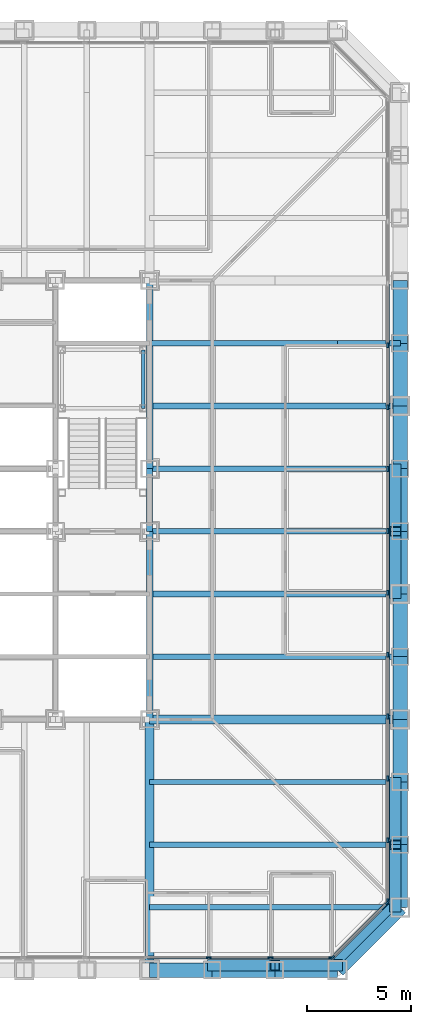
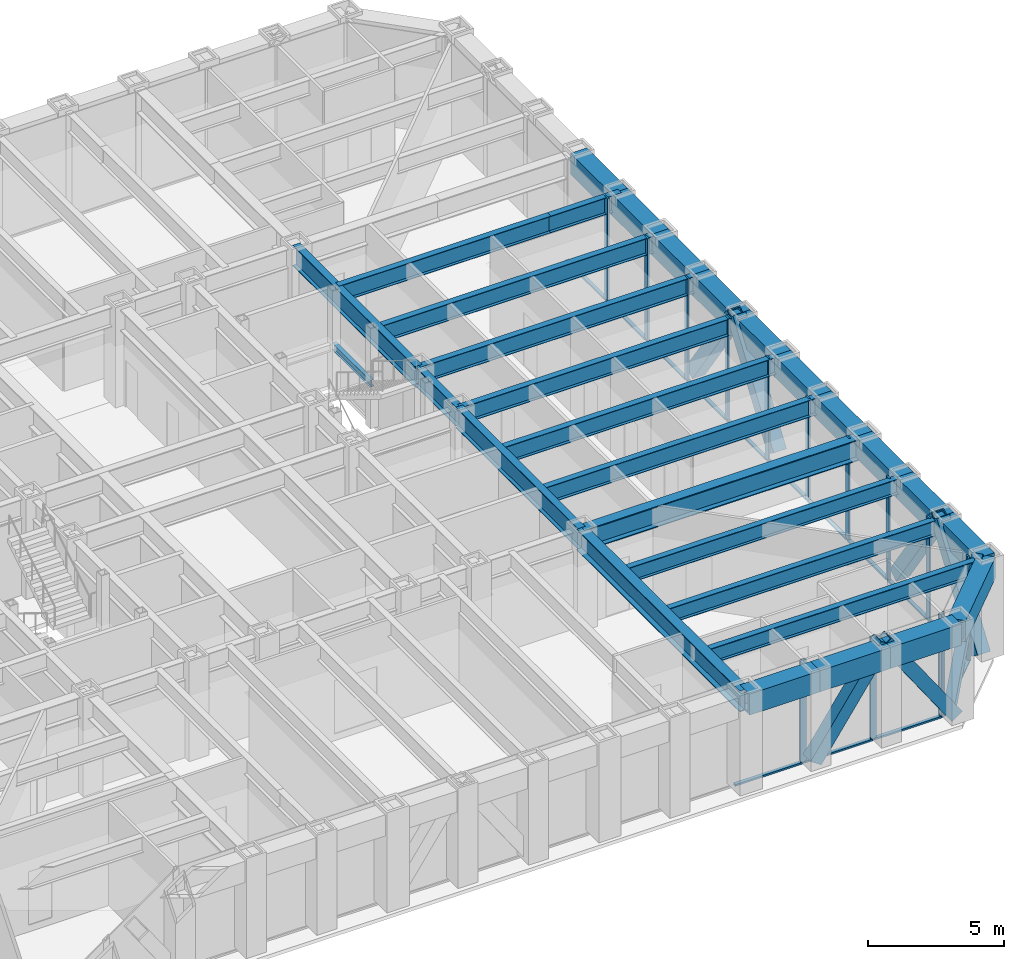
# One storey, part 4 of 17: 36 members, 30 beams, 3 elements without a shape of their own.
"""IFC4 building model written with IfcOpenShell, lengths in metres."""

from ifc_helpers import new_model, si_unit, direction, frame, origin, origin_2d, place, context, subcontext, project, spatial, rectangle, hollow_rectangle, i_section, extrude, material, layer, layer_set, material_profile, profile_set, type_object, element, aggregate, save


model = new_model("IFC4")

# Units and contexts
model_context = context("Model", 3, precision=1e-05, world=origin(), true_north=direction((0.0, 1.0)))
body_context = subcontext(model_context, "Body", "Model", "MODEL_VIEW")
ifc_project = project(units=[si_unit("LENGTHUNIT", "METRE"), si_unit("AREAUNIT", "SQUARE_METRE"), si_unit("VOLUMEUNIT", "CUBIC_METRE"), si_unit("PLANEANGLEUNIT", "RADIAN"), si_unit("MASSUNIT", "GRAM", prefix="KILO")], contexts=[model_context])

# Site, building, storey
site_placement = place(None, origin())
site = spatial("IfcSite", under=ifc_project, at=site_placement, CompositionType="ELEMENT")
building_placement = place(site_placement, origin())
building = spatial("IfcBuilding", under=site, at=building_placement, Name="Chuquiago Exchange Tower", CompositionType="ELEMENT")
storey_placement = place(building_placement, frame((0.0, 0.0, 91.800048828125)))
storey = spatial("IfcBuildingStorey", under=building, at=storey_placement, Name="L19", CompositionType="ELEMENT", Elevation=91.800048828125)

# Beams
ifc_material_1 = material(Name="Steel ASTM A992", Category="steel")
ifc_material_profile_1 = material_profile(ifc_material_1, i_section(OverallWidth=0.307373046875, OverallDepth=0.927001953125, WebThickness=0.01953125, FlangeThickness=0.031982421875, at=origin_2d()), Name="W36X194")
ifc_profile_set_1 = profile_set([ifc_material_profile_1], Name="Steel ASTM A992")
beam_type_1 = type_object("IfcBeamType", Name="B10 W36X194", PredefinedType="BEAM", material=ifc_profile_set_1)
for number, where, z_axis, x_axis, name in (
    (1, (33.0, 12.0, 3.87646484375), (0.0, 1.0, 0.0), (-1.0, 0.0, 0.0), "CB-L20-33_12-33_21"),
    (2, (33.0, 24.0, 3.87646484375), (0.0, 1.0, 0.0), (-1.0, 0.0, 0.0), "CB-L20-33_24-33_33"),
):
    element("IfcBeam", number, at=place(storey_placement, frame(where, z_axis=z_axis, x_axis=x_axis)), inside=storey, type_object=beam_type_1, Name=name, PredefinedType="BEAM", context=body_context, shape_type="SweptSolid", body=[
        extrude(i_section(OverallWidth=0.307373046875, OverallDepth=0.927001953125, WebThickness=0.01953125, FlangeThickness=0.031982421875, at=origin_2d()), origin(), (0.0, 0.0, 1.0), 9.0),
    ])
ifc_material_2 = material(Name="Steel ASTM A992", Category="steel")
ifc_material_profile_2 = material_profile(ifc_material_2, i_section(OverallWidth=0.2919921875, OverallDepth=0.8583984375, WebThickness=0.01708984375, FlangeThickness=0.031005859375, at=origin_2d()), Name="W33X169")
ifc_profile_set_2 = profile_set([ifc_material_profile_2], Name="Steel ASTM A992")
beam_type_2 = type_object("IfcBeamType", Name="B3 W33X169", PredefinedType="BEAM", material=ifc_profile_set_2)
beam_1_placement = place(storey_placement, frame((33.0, 21.0, 3.91064453125), z_axis=(0.0, 1.0, 0.0), x_axis=(-1.0, 0.0, 0.0)))
element("IfcBeam", 3, at=beam_1_placement, inside=storey, type_object=beam_type_2, Name="CB-L20-33_21-33_24", PredefinedType="BEAM", context=body_context, shape_type="SweptSolid", body=[
    extrude(i_section(OverallWidth=0.2919921875, OverallDepth=0.8583984375, WebThickness=0.01708984375, FlangeThickness=0.031005859375, at=origin_2d()), origin(), (0.0, 0.0, 1.0), 3.0),
])
ifc_material_3 = material(Name="Steel ASTM A992", Category="steel")
ifc_material_profile_3 = material_profile(ifc_material_3, i_section(OverallWidth=0.2666015625, OverallDepth=0.761962890625, WebThickness=0.014404296875, FlangeThickness=0.021484375, at=origin_2d()), Name="W30X116")
ifc_profile_set_3 = profile_set([ifc_material_profile_3], Name="Steel ASTM A992")
beam_type_3 = type_object("IfcBeamType", Name="B8 W30X116", PredefinedType="BEAM", material=ifc_profile_set_3)
for number, where, z_axis, x_axis, name in (
    (4, (33.0, 15.0, 3.958984375), (1.0, 0.0, 0.0), (0.0, 1.0, 0.0), "FB-L20-infill-33_15-45_15-0"),
    (5, (33.0, 18.0, 3.958984375), (1.0, 0.0, 0.0), (0.0, 1.0, 0.0), "FB-L20-infill-33_18-45_18-0"),
    (6, (33.0, 21.0, 3.958984375), (1.0, 0.0, 0.0), (0.0, 1.0, 0.0), "FB-L20-infill-33_21-45_21-0"),
    (7, (33.0, 24.0, 3.958984375), (1.0, 0.0, 0.0), (0.0, 1.0, 0.0), "FB-L20-infill-33_24-45_24-0"),
    (8, (33.0, 27.0, 3.958984375), (1.0, 0.0, 0.0), (0.0, 1.0, 0.0), "FB-L20-infill-33_27-45_27-0"),
):
    element("IfcBeam", number, at=place(storey_placement, frame(where, z_axis=z_axis, x_axis=x_axis)), inside=storey, type_object=beam_type_3, Name=name, PredefinedType="BEAM", context=body_context, shape_type="SweptSolid", body=[
        extrude(i_section(OverallWidth=0.2666015625, OverallDepth=0.761962890625, WebThickness=0.014404296875, FlangeThickness=0.021484375, at=origin_2d()), origin(), (0.0, 0.0, 1.0), 12.0),
    ])
beam_2_placement = place(storey_placement, frame((33.0, 30.0, 3.958984375), z_axis=(1.0, 0.0, 0.0), x_axis=(0.0, 1.0, 0.0)))
element("IfcBeam", 9, at=beam_2_placement, inside=storey, type_object=beam_type_3, Name="FB-L20-infill-33_30-45_30-0", PredefinedType="BEAM", context=body_context, shape_type="SweptSolid", body=[
    extrude(i_section(OverallWidth=0.2666015625, OverallDepth=0.761962890625, WebThickness=0.014404296875, FlangeThickness=0.021484375, at=origin_2d()), origin(), (0.0, 0.0, 1.0), 9.0),
])
beam_3_placement = place(storey_placement, frame((42.0, 30.0, 3.958984375), z_axis=(1.0, 0.0, 0.0), x_axis=(0.0, 1.0, 0.0)))
element("IfcBeam", 10, at=beam_3_placement, inside=storey, type_object=beam_type_3, Name="FB-L20-infill-33_30-45_30-1", PredefinedType="BEAM", context=body_context, shape_type="SweptSolid", body=[
    extrude(i_section(OverallWidth=0.2666015625, OverallDepth=0.761962890625, WebThickness=0.014404296875, FlangeThickness=0.021484375, at=origin_2d()), origin(), (0.0, 0.0, 1.0), 3.0),
])
ifc_material_4 = material(Name="Steel ASTM A992", Category="steel")
ifc_material_profile_4 = material_profile(ifc_material_4, i_section(OverallWidth=0.256591796875, OverallDepth=0.693359375, WebThickness=0.014404296875, FlangeThickness=0.023681640625, at=origin_2d()), Name="W27X114")
ifc_profile_set_4 = profile_set([ifc_material_profile_4], Name="Steel ASTM A992")
beam_type_4 = type_object("IfcBeamType", Name="B9 W27X114", PredefinedType="BEAM", material=ifc_profile_set_4)
for number, where, z_axis, x_axis, name in (
    (11, (33.0, 3.0, 3.9931640625), (1.0, 0.0, 0.0), (0.0, 1.0, 0.0), "FB-L20-corner-33_3-45_3-0"),
    (12, (33.0, 6.0, 3.9931640625), (1.0, 0.0, 0.0), (0.0, 1.0, 0.0), "FB-L20-corner-33_6-45_6-0"),
    (13, (33.0, 9.0, 3.9931640625), (1.0, 0.0, 0.0), (0.0, 1.0, 0.0), "FB-L20-corner-33_9-45_9-0"),
):
    element("IfcBeam", number, at=place(storey_placement, frame(where, z_axis=z_axis, x_axis=x_axis)), inside=storey, type_object=beam_type_4, Name=name, PredefinedType="BEAM", context=body_context, shape_type="SweptSolid", body=[
        extrude(i_section(OverallWidth=0.256591796875, OverallDepth=0.693359375, WebThickness=0.014404296875, FlangeThickness=0.023681640625, at=origin_2d()), origin(), (0.0, 0.0, 1.0), 12.0),
    ])

# Curtain wall, members
ifc_material_5 = material(Name="Aluminium curtain wall system", Category="aluminium")
ifc_layer_1 = layer(ifc_material_5, 0.25)
ifc_layer_set_1 = layer_set([ifc_layer_1], Name="CW1 trading floor curtain wall")
curtain_wall_type_1 = type_object("IfcCurtainWallType", Name="CW1 trading floor curtain wall", PredefinedType="NOTDEFINED", material=ifc_layer_set_1)
curtain_wall_1_placement = place(storey_placement, origin())
curtain_wall_1 = element("IfcCurtainWall", 14, at=curtain_wall_1_placement, inside=storey, type_object=curtain_wall_type_1, Name="CW1 curtain wall L19", PredefinedType="NOTDEFINED")
ifc_material_6 = material(Name="Aluminium mullion, pale anodised", Category="aluminium")
ifc_material_profile_5 = material_profile(ifc_material_6, rectangle(XDim=0.074951171875, YDim=0.25, at=origin_2d()), Name="AL 75x250")
ifc_profile_set_5 = profile_set([ifc_material_profile_5], Name="Aluminium mullion, pale anodised")
member_type_1 = type_object("IfcMemberType", Name="CW1-M mullion 75x250", PredefinedType="MULLION", material=ifc_profile_set_5)
member_1_placement = place(storey_placement, frame((35.827880859375, 0.60009765625, -0.300048828125), z_axis=(0.0, 0.0, 1.0), x_axis=(0.0, 1.0, 0.0)))
member_1 = element("IfcMember", 15, at=member_1_placement, type_object=member_type_1, Name="CW1 mullion 12", PredefinedType="MULLION", context=body_context, shape_type="SweptSolid", body=[
    extrude(rectangle(XDim=0.074951171875, YDim=0.25, at=origin_2d()), origin(), (0.0, 0.0, 1.0), 4.639892578125),
])
member_2_placement = place(storey_placement, frame((38.789794921875, 0.60009765625, -0.300048828125), z_axis=(0.0, 0.0, 1.0), x_axis=(0.0, 1.0, 0.0)))
member_2 = element("IfcMember", 16, at=member_2_placement, type_object=member_type_1, Name="CW1 mullion 13", PredefinedType="MULLION", context=body_context, shape_type="SweptSolid", body=[
    extrude(rectangle(XDim=0.074951171875, YDim=0.25, at=origin_2d()), origin(), (0.0, 0.0, 1.0), 4.639892578125),
])
member_3_placement = place(storey_placement, frame((41.714111328125, 0.60009765625, -0.300048828125), z_axis=(0.0, 0.0, 1.0), x_axis=(0.0, 1.0, 0.0)))
member_3 = element("IfcMember", 17, at=member_3_placement, type_object=member_type_1, Name="CW1 mullion 14", PredefinedType="MULLION", context=body_context, shape_type="SweptSolid", body=[
    extrude(rectangle(XDim=0.074951171875, YDim=0.25, at=origin_2d()), origin(), (0.0, 0.0, 1.0), 4.639892578125),
])

curtain_wall_2_placement = place(storey_placement, origin())
curtain_wall_2 = element("IfcCurtainWall", 18, at=curtain_wall_2_placement, inside=storey, type_object=curtain_wall_type_1, Name="CW1 curtain wall L19", PredefinedType="NOTDEFINED")
member_4_placement = place(storey_placement, frame((44.39990234375, 3.285888671875, -0.300048828125), z_axis=(0.0, 0.0, 1.0), x_axis=(-1.0, 0.0, 0.0)))
member_4 = element("IfcMember", 19, at=member_4_placement, type_object=member_type_1, Name="CW1 mullion 1", PredefinedType="MULLION", context=body_context, shape_type="SweptSolid", body=[
    extrude(rectangle(XDim=0.074951171875, YDim=0.25, at=origin_2d()), origin(), (0.0, 0.0, 1.0), 4.639892578125),
])
member_5_placement = place(storey_placement, frame((44.39990234375, 6.210205078125, -0.300048828125), z_axis=(0.0, 0.0, 1.0), x_axis=(-1.0, 0.0, 0.0)))
member_5 = element("IfcMember", 20, at=member_5_placement, type_object=member_type_1, Name="CW1 mullion 2", PredefinedType="MULLION", context=body_context, shape_type="SweptSolid", body=[
    extrude(rectangle(XDim=0.074951171875, YDim=0.25, at=origin_2d()), origin(), (0.0, 0.0, 1.0), 4.639892578125),
])
member_6_placement = place(storey_placement, frame((44.39990234375, 9.172119140625, -0.300048828125), z_axis=(0.0, 0.0, 1.0), x_axis=(-1.0, 0.0, 0.0)))
member_6 = element("IfcMember", 21, at=member_6_placement, type_object=member_type_1, Name="CW1 mullion 3", PredefinedType="MULLION", context=body_context, shape_type="SweptSolid", body=[
    extrude(rectangle(XDim=0.074951171875, YDim=0.25, at=origin_2d()), origin(), (0.0, 0.0, 1.0), 4.639892578125),
])
member_7_placement = place(storey_placement, frame((44.39990234375, 12.1337890625, -0.300048828125), z_axis=(0.0, 0.0, 1.0), x_axis=(-1.0, 0.0, 0.0)))
member_7 = element("IfcMember", 22, at=member_7_placement, type_object=member_type_1, Name="CW1 mullion 4", PredefinedType="MULLION", context=body_context, shape_type="SweptSolid", body=[
    extrude(rectangle(XDim=0.074951171875, YDim=0.25, at=origin_2d()), origin(), (0.0, 0.0, 1.0), 4.639892578125),
])
member_8_placement = place(storey_placement, frame((44.39990234375, 15.095458984375, -0.300048828125), z_axis=(0.0, 0.0, 1.0), x_axis=(-1.0, 0.0, 0.0)))
member_8 = element("IfcMember", 23, at=member_8_placement, type_object=member_type_1, Name="CW1 mullion 5", PredefinedType="MULLION", context=body_context, shape_type="SweptSolid", body=[
    extrude(rectangle(XDim=0.074951171875, YDim=0.25, at=origin_2d()), origin(), (0.0, 0.0, 1.0), 4.639892578125),
])
member_9_placement = place(storey_placement, frame((44.39990234375, 18.057373046875, -0.300048828125), z_axis=(0.0, 0.0, 1.0), x_axis=(-1.0, 0.0, 0.0)))
member_9 = element("IfcMember", 24, at=member_9_placement, type_object=member_type_1, Name="CW1 mullion 6", PredefinedType="MULLION", context=body_context, shape_type="SweptSolid", body=[
    extrude(rectangle(XDim=0.074951171875, YDim=0.25, at=origin_2d()), origin(), (0.0, 0.0, 1.0), 4.639892578125),
])
member_10_placement = place(storey_placement, frame((44.39990234375, 21.01904296875, -0.300048828125), z_axis=(0.0, 0.0, 1.0), x_axis=(-1.0, 0.0, 0.0)))
member_10 = element("IfcMember", 25, at=member_10_placement, type_object=member_type_1, Name="CW1 mullion 7", PredefinedType="MULLION", context=body_context, shape_type="SweptSolid", body=[
    extrude(rectangle(XDim=0.074951171875, YDim=0.25, at=origin_2d()), origin(), (0.0, 0.0, 1.0), 4.639892578125),
])
member_11_placement = place(storey_placement, frame((44.39990234375, 23.98095703125, -0.300048828125), z_axis=(0.0, 0.0, 1.0), x_axis=(-1.0, 0.0, 0.0)))
member_11 = element("IfcMember", 26, at=member_11_placement, type_object=member_type_1, Name="CW1 mullion 8", PredefinedType="MULLION", context=body_context, shape_type="SweptSolid", body=[
    extrude(rectangle(XDim=0.074951171875, YDim=0.25, at=origin_2d()), origin(), (0.0, 0.0, 1.0), 4.639892578125),
])
member_12_placement = place(storey_placement, frame((44.39990234375, 26.942626953125, -0.300048828125), z_axis=(0.0, 0.0, 1.0), x_axis=(-1.0, 0.0, 0.0)))
member_12 = element("IfcMember", 27, at=member_12_placement, type_object=member_type_1, Name="CW1 mullion 9", PredefinedType="MULLION", context=body_context, shape_type="SweptSolid", body=[
    extrude(rectangle(XDim=0.074951171875, YDim=0.25, at=origin_2d()), origin(), (0.0, 0.0, 1.0), 4.639892578125),
])
member_13_placement = place(storey_placement, frame((44.39990234375, 29.904541015625, -0.300048828125), z_axis=(0.0, 0.0, 1.0), x_axis=(-1.0, 0.0, 0.0)))
member_13 = element("IfcMember", 28, at=member_13_placement, type_object=member_type_1, Name="CW1 mullion 10", PredefinedType="MULLION", context=body_context, shape_type="SweptSolid", body=[
    extrude(rectangle(XDim=0.074951171875, YDim=0.25, at=origin_2d()), origin(), (0.0, 0.0, 1.0), 4.639892578125),
])

# Member
ifc_material_7 = material(Name="Aluminium transom, pale anodised", Category="aluminium")
ifc_material_profile_6 = material_profile(ifc_material_7, rectangle(XDim=0.14990234375, YDim=0.074951171875, at=origin_2d()), Name="AL 150x75")
ifc_profile_set_6 = profile_set([ifc_material_profile_6], Name="Aluminium transom, pale anodised")
member_type_2 = type_object("IfcMemberType", Name="CW1-T transom 75x150", PredefinedType="MULLION", material=ifc_profile_set_6)
member_14_placement = place(storey_placement, frame((32.90380859375, 0.60009765625, -0.262451171875), z_axis=(1.0, 0.0, 0.0), x_axis=(0.0, 1.0, 0.0)))
member_14 = element("IfcMember", 29, at=member_14_placement, type_object=member_type_2, Name="CW1 transom 11.1", PredefinedType="MULLION", context=body_context, shape_type="SweptSolid", body=[
    extrude(rectangle(XDim=0.14990234375, YDim=0.074951171875, at=origin_2d()), origin(), (0.0, 0.0, 1.0), 2.88671875),
])

member_15_placement = place(storey_placement, frame((35.865478515625, 0.60009765625, -0.262451171875), z_axis=(1.0, 0.0, 0.0), x_axis=(0.0, 1.0, 0.0)))
member_15 = element("IfcMember", 30, at=member_15_placement, type_object=member_type_2, Name="CW1 transom 12.1", PredefinedType="MULLION", context=body_context, shape_type="SweptSolid", body=[
    extrude(rectangle(XDim=0.14990234375, YDim=0.074951171875, at=origin_2d()), origin(), (0.0, 0.0, 1.0), 2.88671875),
])

member_16_placement = place(storey_placement, frame((38.8271484375, 0.60009765625, -0.262451171875), z_axis=(1.0, 0.0, 0.0), x_axis=(0.0, 1.0, 0.0)))
member_16 = element("IfcMember", 31, at=member_16_placement, type_object=member_type_2, Name="CW1 transom 13.1", PredefinedType="MULLION", context=body_context, shape_type="SweptSolid", body=[
    extrude(rectangle(XDim=0.14990234375, YDim=0.074951171875, at=origin_2d()), origin(), (0.0, 0.0, 1.0), 2.849365234375),
])

aggregate(curtain_wall_1, [member_1, member_2, member_3, member_14, member_15, member_16])

member_17_placement = place(storey_placement, frame((44.39990234375, 3.323486328125, -0.262451171875), z_axis=(0.0, 1.0, 0.0), x_axis=(-1.0, 0.0, 0.0)))
member_17 = element("IfcMember", 32, at=member_17_placement, type_object=member_type_2, Name="CW1 transom 1.1", PredefinedType="MULLION", context=body_context, shape_type="SweptSolid", body=[
    extrude(rectangle(XDim=0.14990234375, YDim=0.074951171875, at=origin_2d()), origin(), (0.0, 0.0, 1.0), 2.849365234375),
])

member_18_placement = place(storey_placement, frame((44.39990234375, 6.247802734375, -0.262451171875), z_axis=(0.0, 1.0, 0.0), x_axis=(-1.0, 0.0, 0.0)))
member_18 = element("IfcMember", 33, at=member_18_placement, type_object=member_type_2, Name="CW1 transom 2.1", PredefinedType="MULLION", context=body_context, shape_type="SweptSolid", body=[
    extrude(rectangle(XDim=0.14990234375, YDim=0.074951171875, at=origin_2d()), origin(), (0.0, 0.0, 1.0), 2.88671875),
])

member_19_placement = place(storey_placement, frame((44.39990234375, 9.20947265625, -0.262451171875), z_axis=(0.0, 1.0, 0.0), x_axis=(-1.0, 0.0, 0.0)))
member_19 = element("IfcMember", 34, at=member_19_placement, type_object=member_type_2, Name="CW1 transom 3.1", PredefinedType="MULLION", context=body_context, shape_type="SweptSolid", body=[
    extrude(rectangle(XDim=0.14990234375, YDim=0.074951171875, at=origin_2d()), origin(), (0.0, 0.0, 1.0), 2.88671875),
])

member_20_placement = place(storey_placement, frame((44.39990234375, 12.17138671875, -0.262451171875), z_axis=(0.0, 1.0, 0.0), x_axis=(-1.0, 0.0, 0.0)))
member_20 = element("IfcMember", 35, at=member_20_placement, type_object=member_type_2, Name="CW1 transom 4.1", PredefinedType="MULLION", context=body_context, shape_type="SweptSolid", body=[
    extrude(rectangle(XDim=0.14990234375, YDim=0.074951171875, at=origin_2d()), origin(), (0.0, 0.0, 1.0), 2.88671875),
])

member_21_placement = place(storey_placement, frame((44.39990234375, 15.133056640625, -0.262451171875), z_axis=(0.0, 1.0, 0.0), x_axis=(-1.0, 0.0, 0.0)))
member_21 = element("IfcMember", 36, at=member_21_placement, type_object=member_type_2, Name="CW1 transom 5.1", PredefinedType="MULLION", context=body_context, shape_type="SweptSolid", body=[
    extrude(rectangle(XDim=0.14990234375, YDim=0.074951171875, at=origin_2d()), origin(), (0.0, 0.0, 1.0), 2.88671875),
])

member_22_placement = place(storey_placement, frame((44.39990234375, 18.0947265625, -0.262451171875), z_axis=(0.0, 1.0, 0.0), x_axis=(-1.0, 0.0, 0.0)))
member_22 = element("IfcMember", 37, at=member_22_placement, type_object=member_type_2, Name="CW1 transom 6.1", PredefinedType="MULLION", context=body_context, shape_type="SweptSolid", body=[
    extrude(rectangle(XDim=0.14990234375, YDim=0.074951171875, at=origin_2d()), origin(), (0.0, 0.0, 1.0), 2.886962890625),
])

member_23_placement = place(storey_placement, frame((44.39990234375, 21.056640625, -0.262451171875), z_axis=(0.0, 1.0, 0.0), x_axis=(-1.0, 0.0, 0.0)))
member_23 = element("IfcMember", 38, at=member_23_placement, type_object=member_type_2, Name="CW1 transom 7.1", PredefinedType="MULLION", context=body_context, shape_type="SweptSolid", body=[
    extrude(rectangle(XDim=0.14990234375, YDim=0.074951171875, at=origin_2d()), origin(), (0.0, 0.0, 1.0), 2.88671875),
])

member_24_placement = place(storey_placement, frame((44.39990234375, 24.018310546875, -0.262451171875), z_axis=(0.0, 1.0, 0.0), x_axis=(-1.0, 0.0, 0.0)))
member_24 = element("IfcMember", 39, at=member_24_placement, type_object=member_type_2, Name="CW1 transom 8.1", PredefinedType="MULLION", context=body_context, shape_type="SweptSolid", body=[
    extrude(rectangle(XDim=0.14990234375, YDim=0.074951171875, at=origin_2d()), origin(), (0.0, 0.0, 1.0), 2.886962890625),
])

member_25_placement = place(storey_placement, frame((44.39990234375, 26.980224609375, -0.262451171875), z_axis=(0.0, 1.0, 0.0), x_axis=(-1.0, 0.0, 0.0)))
member_25 = element("IfcMember", 40, at=member_25_placement, type_object=member_type_2, Name="CW1 transom 9.1", PredefinedType="MULLION", context=body_context, shape_type="SweptSolid", body=[
    extrude(rectangle(XDim=0.14990234375, YDim=0.074951171875, at=origin_2d()), origin(), (0.0, 0.0, 1.0), 2.88671875),
])

member_26_placement = place(storey_placement, frame((44.39990234375, 29.94189453125, -0.262451171875), z_axis=(0.0, 1.0, 0.0), x_axis=(-1.0, 0.0, 0.0)))
member_26 = element("IfcMember", 41, at=member_26_placement, type_object=member_type_2, Name="CW1 transom 10.1", PredefinedType="MULLION", context=body_context, shape_type="SweptSolid", body=[
    extrude(rectangle(XDim=0.14990234375, YDim=0.074951171875, at=origin_2d()), origin(), (0.0, 0.0, 1.0), 2.88671875),
])

aggregate(curtain_wall_2, [member_4, member_5, member_6, member_7, member_8, member_9, member_10, member_11, member_12, member_13, member_17, member_18, member_19, member_20, member_21, member_22, member_23, member_24, member_25, member_26])

# Curtain wall, members
ifc_material_8 = material(Name="Aluminium curtain wall system", Category="aluminium")
ifc_layer_2 = layer(ifc_material_8, 0.199951171875)
ifc_layer_set_2 = layer_set([ifc_layer_2], Name="CW3 facet curtain wall")
curtain_wall_type_2 = type_object("IfcCurtainWallType", Name="CW3 facet curtain wall", PredefinedType="NOTDEFINED", material=ifc_layer_set_2)
curtain_wall_3_placement = place(storey_placement, origin())
curtain_wall_3 = element("IfcCurtainWall", 42, at=curtain_wall_3_placement, inside=storey, type_object=curtain_wall_type_2, Name="CW3 curtain wall L19", PredefinedType="NOTDEFINED")
ifc_material_9 = material(Name="Aluminium mullion, pale anodised", Category="aluminium")
ifc_material_profile_7 = material_profile(ifc_material_9, rectangle(XDim=0.06494140625, YDim=0.199951171875, at=origin_2d()), Name="AL 65x200")
ifc_profile_set_7 = profile_set([ifc_material_profile_7], Name="Aluminium mullion, pale anodised")
member_type_3 = type_object("IfcMemberType", Name="CW3-M mullion 65x200", PredefinedType="MULLION", material=ifc_profile_set_7)
member_27_placement = place(storey_placement, frame((41.7744140625, 0.623046875, -0.300048828125), z_axis=(0.0, 0.0, 1.0), x_axis=(-0.707106781187, 0.707106781187, 0.0)))
member_27 = element("IfcMember", 43, at=member_27_placement, type_object=member_type_3, Name="CW3 mullion 1", PredefinedType="MULLION", context=body_context, shape_type="SweptSolid", body=[
    extrude(rectangle(XDim=0.06494140625, YDim=0.199951171875, at=origin_2d()), origin(), (0.0, 0.0, 1.0), 4.639892578125),
])
member_28_placement = place(storey_placement, frame((44.376953125, 3.2255859375, -0.300048828125), z_axis=(0.0, 0.0, 1.0), x_axis=(-0.707106781187, 0.707106781187, 0.0)))
member_28 = element("IfcMember", 44, at=member_28_placement, type_object=member_type_3, Name="CW3 mullion 2", PredefinedType="MULLION", context=body_context, shape_type="SweptSolid", body=[
    extrude(rectangle(XDim=0.06494140625, YDim=0.199951171875, at=origin_2d()), origin(), (0.0, 0.0, 1.0), 4.639892578125),
])
ifc_material_10 = material(Name="Aluminium transom, pale anodised", Category="aluminium")
ifc_material_profile_8 = material_profile(ifc_material_10, rectangle(XDim=0.139892578125, YDim=0.06494140625, at=origin_2d()), Name="AL 140x65")
ifc_profile_set_8 = profile_set([ifc_material_profile_8], Name="Aluminium transom, pale anodised")
member_type_4 = type_object("IfcMemberType", Name="CW3-T transom 65x140", PredefinedType="MULLION", material=ifc_profile_set_8)
member_29_placement = place(storey_placement, frame((41.79736328125, 0.64599609375, -0.267578125), z_axis=(0.707106781187, 0.707106781187, 0.0), x_axis=(-0.707106781187, 0.707106781187, 0.0)))
member_29 = element("IfcMember", 45, at=member_29_placement, type_object=member_type_4, Name="CW3 transom 1.1", PredefinedType="MULLION", context=body_context, shape_type="SweptSolid", body=[
    extrude(rectangle(XDim=0.139892578125, YDim=0.06494140625, at=origin_2d()), origin(), (0.0, 0.0, 1.0), 3.61572265625),
])
aggregate(curtain_wall_3, [member_27, member_28, member_29])

# Beams
ifc_material_11 = material(Name="Steel ASTM A992", Category="steel")
ifc_material_profile_9 = material_profile(ifc_material_11, i_section(OverallWidth=0.424072265625, OverallDepth=0.947509765625, WebThickness=0.02392578125, FlangeThickness=0.042724609375, at=origin_2d()), Name="W36X302")
ifc_profile_set_9 = profile_set([ifc_material_profile_9], Name="Steel ASTM A992")
beam_type_5 = type_object("IfcBeamType", Name="G4 W36X302", PredefinedType="BEAM", material=ifc_profile_set_9)
for number, where, z_axis, x_axis, name in (
    (46, (33.0, 12.0, 3.8662109375), (0.0, -1.0, 0.0), (1.0, 0.0, 0.0), "FB-L20-girder-33_12-33_-0-0"),
    (47, (33.0, 12.0, 3.8662109375), (1.0, 0.0, 0.0), (0.0, 1.0, 0.0), "FB-L20-girder-33_12-45_12-0"),
):
    element("IfcBeam", number, at=place(storey_placement, frame(where, z_axis=z_axis, x_axis=x_axis)), inside=storey, type_object=beam_type_5, Name=name, PredefinedType="BEAM", context=body_context, shape_type="SweptSolid", body=[
        extrude(i_section(OverallWidth=0.424072265625, OverallDepth=0.947509765625, WebThickness=0.02392578125, FlangeThickness=0.042724609375, at=origin_2d()), origin(), (0.0, 0.0, 1.0), 12.0),
    ])

# Member
ifc_material_12 = material(Name="Steel ASTM A500 Grade C", Category="steel")
ifc_material_profile_10 = material_profile(ifc_material_12, hollow_rectangle(XDim=0.406494140625, YDim=0.406494140625, WallThickness=0.0146484375, at=origin_2d()), Name="HSS16X16X5/8")
ifc_profile_set_10 = profile_set([ifc_material_profile_10], Name="Steel ASTM A500 Grade C")
member_type_5 = type_object("IfcMemberType", Name="LB4 HSS16X16X5/8", PredefinedType="BRACE", material=ifc_profile_set_10)
member_30_placement = place(storey_placement, frame((41.78662109375, 0.21337890625, 0.0), z_axis=(0.494305423695, 0.494305423695, 0.715069434538), x_axis=(-0.707106781187, 0.707106781187, 0.0)))
element("IfcMember", 48, at=member_30_placement, inside=storey, type_object=member_type_5, Name="LB-L19-42_0-45_3", PredefinedType="BRACE", context=body_context, shape_type="SweptSolid", body=[
    extrude(hollow_rectangle(XDim=0.406494140625, YDim=0.406494140625, WallThickness=0.0146484375, at=origin_2d()), origin(), (0.0, 0.0, 1.0), 6.069091796875),
])

# Beam
ifc_material_13 = material(Name="Steel ASTM A992", Category="steel")
ifc_material_profile_11 = material_profile(ifc_material_13, i_section(OverallWidth=0.164794921875, OverallDepth=0.309814453125, WebThickness=0.005859375, FlangeThickness=0.009765625, at=origin_2d()), Name="W12X26")
ifc_profile_set_11 = profile_set([ifc_material_profile_11], Name="Steel ASTM A992")
beam_type_6 = type_object("IfcBeamType", Name="LS1 W12X26", PredefinedType="BEAM", material=ifc_profile_set_11)
beam_4_placement = place(storey_placement, frame((32.68994140625, 26.889892578125, 1.89501953125), z_axis=(0.0, 1.0, 0.0), x_axis=(-1.0, 0.0, 0.0)))
element("IfcBeam", 49, at=beam_4_placement, inside=storey, type_object=beam_type_6, Name="Stair ST2 L19 landing 1 stringer", PredefinedType="BEAM", context=body_context, shape_type="SweptSolid", body=[
    extrude(i_section(OverallWidth=0.164794921875, OverallDepth=0.309814453125, WebThickness=0.005859375, FlangeThickness=0.009765625, at=origin_2d()), origin(), (0.0, 0.0, 1.0), 2.800048828125),
])

# Members
ifc_material_14 = material(Name="Steel ASTM A572 Grade 50", Category="steel")
ifc_material_profile_12 = material_profile(ifc_material_14, hollow_rectangle(XDim=0.550048828125, YDim=0.550048828125, WallThickness=0.044921875, at=origin_2d()), Name="BOX550X550X45")
ifc_profile_set_12 = profile_set([ifc_material_profile_12], Name="Steel ASTM A572 Grade 50")
member_type_6 = type_object("IfcMemberType", Name="MB1 BOX550X550X45", PredefinedType="BRACE", material=ifc_profile_set_12)
for number, where, z_axis, x_axis, name in (
    (50, (36.0, 0.22998046875, 0.0), (0.56863232121, 0.0, 0.822591808417), (0.0, 1.0, 0.0), "Mega diagonal L19 S face"),
    (51, (42.0, 0.22998046875, 0.0), (-0.56863232121, 0.0, 0.822591808417), (0.0, -1.0, 0.0), "Mega diagonal L19 S face"),
    (52, (44.77001953125, 3.0, 0.0), (0.0, 0.56863232121, 0.822591808417), (-1.0, 0.0, 0.0), "Mega diagonal L19 E face"),
    (53, (44.77001953125, 9.0, 0.0), (0.0, -0.56863232121, 0.822591808417), (1.0, 0.0, 0.0), "Mega diagonal L19 E face"),
    (54, (44.77001953125, 18.0, 0.0), (0.0, 0.56863232121, 0.822591808417), (-1.0, 0.0, 0.0), "Mega diagonal L19 E face"),
    (55, (44.77001953125, 24.0, 0.0), (0.0, -0.56863232121, 0.822591808417), (1.0, 0.0, 0.0), "Mega diagonal L19 E face"),
):
    element("IfcMember", number, at=place(storey_placement, frame(where, z_axis=z_axis, x_axis=x_axis)), inside=storey, type_object=member_type_6, Name=name, PredefinedType="BRACE", context=body_context, shape_type="SweptSolid", body=[
        extrude(hollow_rectangle(XDim=0.550048828125, YDim=0.550048828125, WallThickness=0.044921875, at=origin_2d()), origin(), (0.0, 0.0, 1.0), 5.27587890625),
    ])

# Beams
ifc_material_15 = material(Name="Steel ASTM A572 Grade 50", Category="steel")
ifc_material_profile_13 = material_profile(ifc_material_15, hollow_rectangle(XDim=0.699951171875, YDim=0.949951171875, WallThickness=0.10009765625, at=origin_2d()), Name="BOX950X700X100")
ifc_profile_set_13 = profile_set([ifc_material_profile_13], Name="Steel ASTM A572 Grade 50")
beam_type_7 = type_object("IfcBeamType", Name="SP5 BOX950X700X100", PredefinedType="SPANDREL", material=ifc_profile_set_13)
for number, where, z_axis, x_axis, name in (
    (56, (33.0, 0.0, 3.864990234375), (1.0, 0.0, 0.0), (0.0, 1.0, 0.0), "SPB-L20-33_0-36_0"),
    (57, (36.0, 0.0, 3.864990234375), (1.0, 0.0, 0.0), (0.0, 1.0, 0.0), "SPB-L20-36_0-39_0"),
    (58, (39.0, 0.0, 3.864990234375), (1.0, 0.0, 0.0), (0.0, 1.0, 0.0), "SPB-L20-39_0-42_0"),
):
    element("IfcBeam", number, at=place(storey_placement, frame(where, z_axis=z_axis, x_axis=x_axis)), inside=storey, type_object=beam_type_7, Name=name, PredefinedType="SPANDREL", context=body_context, shape_type="SweptSolid", body=[
        extrude(hollow_rectangle(XDim=0.699951171875, YDim=0.949951171875, WallThickness=0.10009765625, at=origin_2d()), origin(), (0.0, 0.0, 1.0), 3.0),
    ])
beam_5_placement = place(storey_placement, frame((42.0, 0.0, 3.864990234375), z_axis=(0.707106781187, 0.707106781187, 0.0), x_axis=(-0.707106781187, 0.707106781187, 0.0)))
element("IfcBeam", 59, at=beam_5_placement, inside=storey, type_object=beam_type_7, Name="SPB-L20-42_0-45_3", PredefinedType="SPANDREL", context=body_context, shape_type="SweptSolid", body=[
    extrude(hollow_rectangle(XDim=0.699951171875, YDim=0.949951171875, WallThickness=0.10009765625, at=origin_2d()), origin(), (0.0, 0.0, 1.0), 4.24267578125),
])
for number, where, z_axis, x_axis, name in (
    (60, (45.0, 3.0, 3.864990234375), (0.0, 1.0, 0.0), (-1.0, 0.0, 0.0), "SPB-L20-45_3-45_6"),
    (61, (45.0, 6.0, 3.864990234375), (0.0, 1.0, 0.0), (-1.0, 0.0, 0.0), "SPB-L20-45_6-45_9"),
    (62, (45.0, 9.0, 3.864990234375), (0.0, 1.0, 0.0), (-1.0, 0.0, 0.0), "SPB-L20-45_9-45_12"),
    (63, (45.0, 12.0, 3.864990234375), (0.0, 1.0, 0.0), (-1.0, 0.0, 0.0), "SPB-L20-45_12-45_15"),
    (64, (45.0, 15.0, 3.864990234375), (0.0, 1.0, 0.0), (-1.0, 0.0, 0.0), "SPB-L20-45_15-45_18"),
    (65, (45.0, 18.0, 3.864990234375), (0.0, 1.0, 0.0), (-1.0, 0.0, 0.0), "SPB-L20-45_18-45_21"),
    (66, (45.0, 21.0, 3.864990234375), (0.0, 1.0, 0.0), (-1.0, 0.0, 0.0), "SPB-L20-45_21-45_24"),
    (67, (45.0, 24.0, 3.864990234375), (0.0, 1.0, 0.0), (-1.0, 0.0, 0.0), "SPB-L20-45_24-45_27"),
    (68, (45.0, 27.0, 3.864990234375), (0.0, 1.0, 0.0), (-1.0, 0.0, 0.0), "SPB-L20-45_27-45_30"),
    (69, (45.0, 30.0, 3.864990234375), (0.0, 1.0, 0.0), (-1.0, 0.0, 0.0), "SPB-L20-45_30-45_33"),
):
    element("IfcBeam", number, at=place(storey_placement, frame(where, z_axis=z_axis, x_axis=x_axis)), inside=storey, type_object=beam_type_7, Name=name, PredefinedType="SPANDREL", context=body_context, shape_type="SweptSolid", body=[
        extrude(hollow_rectangle(XDim=0.699951171875, YDim=0.949951171875, WallThickness=0.10009765625, at=origin_2d()), origin(), (0.0, 0.0, 1.0), 3.0),
    ])

save(model, "model.ifc")
